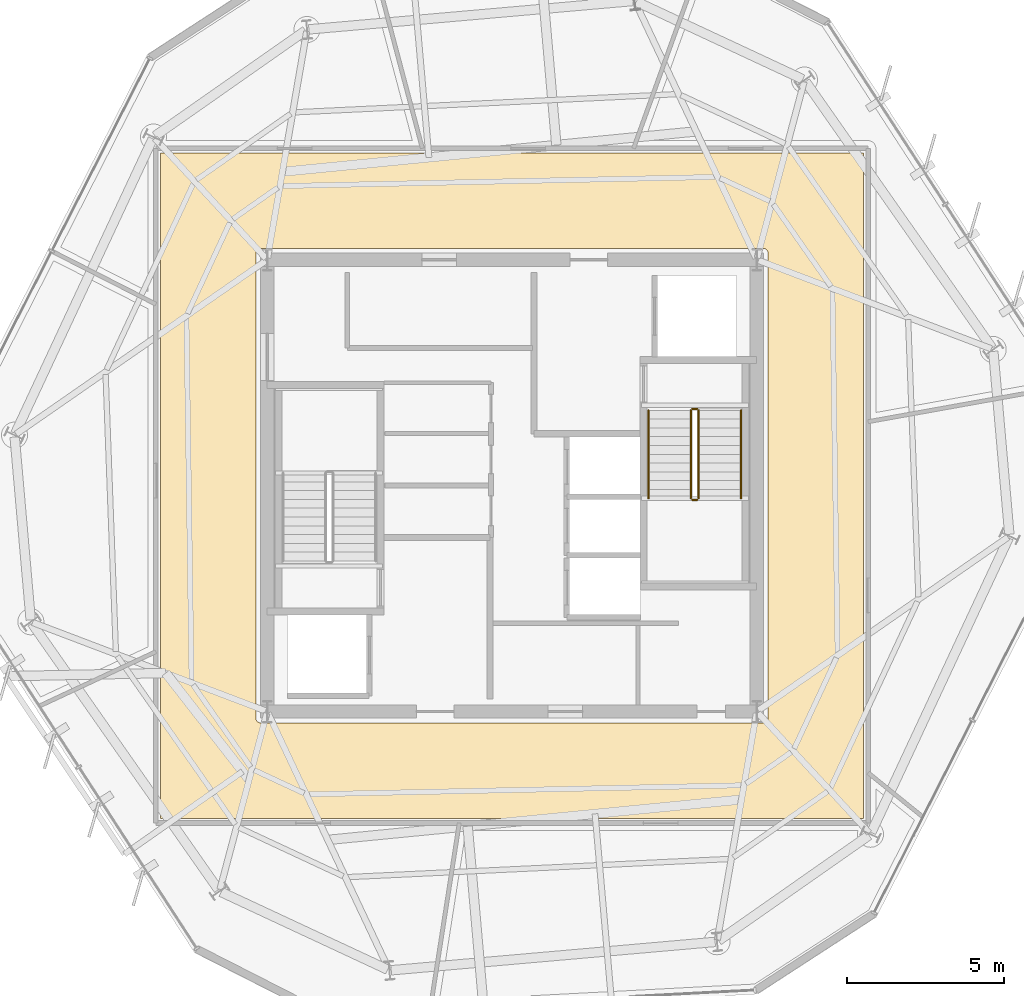
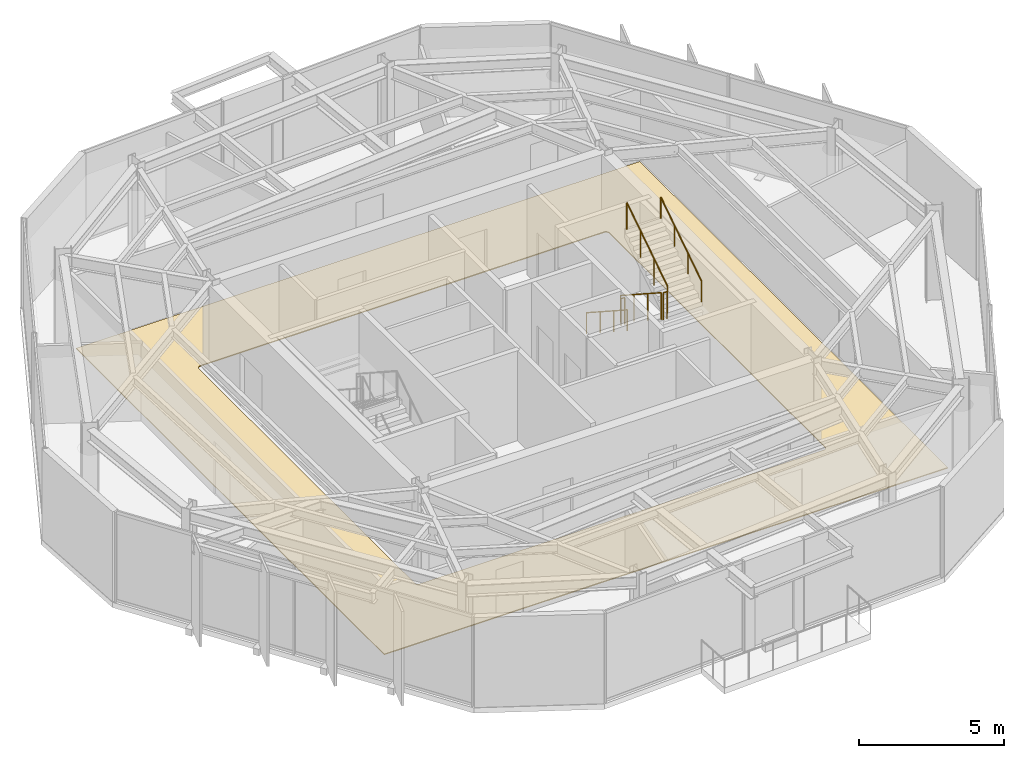
# One storey, part 10 of 11: 6 railings, 1 covering.
"""IFC4 building model written with IfcOpenShell, lengths in metres."""

from ifc_helpers import new_model, si_unit, direction, frame, origin, origin_2d, place, context, subcontext, project, spatial, polyline, circle, outline, extrude, material, layer, layer_set, type_object, element, save


model = new_model("IFC4")

# Units and contexts
model_context = context("Model", 3, precision=1e-05, world=origin(), true_north=direction((0.0, 1.0)))
body_context = subcontext(model_context, "Body", "Model", "MODEL_VIEW")
ifc_project = project(units=[si_unit("LENGTHUNIT", "METRE"), si_unit("AREAUNIT", "SQUARE_METRE"), si_unit("VOLUMEUNIT", "CUBIC_METRE"), si_unit("PLANEANGLEUNIT", "RADIAN"), si_unit("MASSUNIT", "GRAM", prefix="KILO")], contexts=[model_context])

# Site, building, storey
site_placement = place(None, origin())
site = spatial("IfcSite", under=ifc_project, at=site_placement, CompositionType="ELEMENT")
building_placement = place(site_placement, origin())
building = spatial("IfcBuilding", under=site, at=building_placement, Name="Kranzbogen Civic Tower", CompositionType="ELEMENT")
storey_placement = place(building_placement, frame((0.0, 0.0, 278.199951171875)))
storey = spatial("IfcBuildingStorey", under=building, at=storey_placement, Name="L67", CompositionType="ELEMENT", Elevation=278.199951171875)

# Covering
ifc_material_1 = material(Name="Honed Natural Stone Flooring", Category="masonry")
ifc_layer = layer(ifc_material_1, 0.0400390625, Name="Honed Natural Stone Flooring")
ifc_layer_set = layer_set([ifc_layer], Name="Honed Natural Stone Flooring")
covering_type = type_object("IfcCoveringType", Name="Honed Limestone Lobby Flooring 40 mm", PredefinedType="FLOORING", material=ifc_layer_set)
covering_placement = place(storey_placement, origin())
element("IfcCovering", 1, at=covering_placement, inside=storey, type_object=covering_type, Name="L67 concourse stone flooring 1", PredefinedType="FLOORING", context=body_context, shape_type="SweptSolid", body=[
    extrude(outline(polyline([(13.800048828125, 35.60009765625), (36.199951171875, 35.60009765625), (36.199951171875, 14.39990234375), (13.800048828125, 14.39990234375), (13.800048828125, 35.60009765625)]), holes=[polyline([(33.010009765625, 32.56005859375), (33.02490234375, 32.55908203125), (33.0390625, 32.556884765625), (33.053955078125, 32.553955078125), (33.06689453125, 32.549072265625), (33.0810546875, 32.5419921875), (33.093017578125, 32.534912109375), (33.10498046875, 32.52587890625), (33.115966796875, 32.51611328125), (33.1259765625, 32.5048828125), (33.135009765625, 32.492919921875), (33.14208984375, 32.48095703125), (33.14892578125, 32.467041015625), (33.154052734375, 32.4541015625), (33.156982421875, 32.43896484375), (33.158935546875, 32.425048828125), (33.159912109375, 32.409912109375), (33.159912109375, 17.590087890625), (33.158935546875, 17.574951171875), (33.156982421875, 17.56103515625), (33.154052734375, 17.5458984375), (33.14892578125, 17.532958984375), (33.14208984375, 17.51904296875), (33.135009765625, 17.507080078125), (33.1259765625, 17.4951171875), (33.115966796875, 17.48388671875), (33.10498046875, 17.47412109375), (33.093017578125, 17.465087890625), (33.0810546875, 17.4580078125), (33.06689453125, 17.450927734375), (33.053955078125, 17.446044921875), (33.0390625, 17.443115234375), (33.02490234375, 17.44091796875), (33.010009765625, 17.43994140625), (16.989990234375, 17.43994140625), (16.97509765625, 17.44091796875), (16.9609375, 17.443115234375), (16.946044921875, 17.446044921875), (16.93310546875, 17.450927734375), (16.9189453125, 17.4580078125), (16.906982421875, 17.465087890625), (16.89501953125, 17.47412109375), (16.884033203125, 17.48388671875), (16.8740234375, 17.4951171875), (16.864990234375, 17.507080078125), (16.85791015625, 17.51904296875), (16.85107421875, 17.532958984375), (16.845947265625, 17.5458984375), (16.843017578125, 17.56103515625), (16.841064453125, 17.574951171875), (16.840087890625, 17.590087890625), (16.840087890625, 32.409912109375), (16.841064453125, 32.425048828125), (16.843017578125, 32.43896484375), (16.845947265625, 32.4541015625), (16.85107421875, 32.467041015625), (16.85791015625, 32.48095703125), (16.864990234375, 32.492919921875), (16.8740234375, 32.5048828125), (16.884033203125, 32.51611328125), (16.89501953125, 32.52587890625), (16.906982421875, 32.534912109375), (16.9189453125, 32.5419921875), (16.93310546875, 32.549072265625), (16.946044921875, 32.553955078125), (16.9609375, 32.556884765625), (16.97509765625, 32.55908203125), (16.989990234375, 32.56005859375), (33.010009765625, 32.56005859375)])]), origin(), (0.0, 0.0, 1.0), 0.0400390625),
])

# Railings
ifc_material_2 = material(Name="Steel S355", Category="steel")
railing_type_1 = type_object("IfcRailingType", Name="Internal Stair and Void Steel Guardrail 1150", PredefinedType="GUARDRAIL", material=ifc_material_2)
railing_1_placement = place(storey_placement, frame((30.699951171875, 27.39990234375, 0.181884765625)))
element("IfcRailing", 2, at=railing_1_placement, inside=storey, type_object=railing_type_1, Name="L67 ST-T2 stair guard 1", PredefinedType="GUARDRAIL", context=body_context, shape_type="SweptSolid", body=[
    extrude(circle(Radius=0.02392578125, at=origin_2d()), frame((0.0, 0.0, 1.1259765625), z_axis=(0.0, -0.83868413941, 0.544618136222), x_axis=(1.0, 0.0, 0.0)), (0.0, 0.0, 1.0), 3.33837890625),
    extrude(circle(Radius=0.02099609375, at=origin_2d()), origin(), (0.0, 0.0, 1.0), 1.101806640625),
    extrude(circle(Radius=0.02099609375, at=origin_2d()), frame((0.0, -0.933349609375, 0.60595703125)), (0.0, 0.0, 1.0), 1.101806640625),
    extrude(circle(Radius=0.02099609375, at=origin_2d()), frame((0.0, -1.866455078125, 1.212158203125)), (0.0, 0.0, 1.0), 1.101806640625),
    extrude(circle(Radius=0.02099609375, at=origin_2d()), frame((0.0, -2.7998046875, 1.818115234375)), (0.0, 0.0, 1.0), 1.101806640625),
])
railing_2_placement = place(storey_placement, frame((30.75, 24.550048828125, 2.0)))
element("IfcRailing", 3, at=railing_2_placement, inside=storey, type_object=railing_type_1, Name="L67 ST-T2 stair guard 2", PredefinedType="GUARDRAIL", context=body_context, shape_type="SweptSolid", body=[
    extrude(circle(Radius=0.02392578125, at=origin_2d()), frame((0.0, 0.0, 1.1259765625), z_axis=(1.0, 0.0, 0.0), x_axis=(0.0, 1.0, 0.0)), (0.0, 0.0, 1.0), 0.14990234375),
    extrude(circle(Radius=0.02099609375, at=origin_2d()), origin(), (0.0, 0.0, 1.0), 1.101806640625),
    extrude(circle(Radius=0.02099609375, at=origin_2d()), frame((0.14990234375, 0.0, 0.0)), (0.0, 0.0, 1.0), 1.101806640625),
])
railing_3_placement = place(storey_placement, frame((30.949951171875, 24.60009765625, 2.181884765625)))
element("IfcRailing", 4, at=railing_3_placement, inside=storey, type_object=railing_type_1, Name="L67 ST-T2 stair guard 3", PredefinedType="GUARDRAIL", context=body_context, shape_type="SweptSolid", body=[
    extrude(circle(Radius=0.02392578125, at=origin_2d()), frame((0.0, 0.0, 1.1259765625), z_axis=(0.0, 0.83868413941, 0.544618136222), x_axis=(-1.0, 0.0, 0.0)), (0.0, 0.0, 1.0), 3.33837890625),
    extrude(circle(Radius=0.02099609375, at=origin_2d()), origin(), (0.0, 0.0, 1.0), 1.101806640625),
    extrude(circle(Radius=0.02099609375, at=origin_2d()), frame((0.0, 0.933349609375, 0.60595703125)), (0.0, 0.0, 1.0), 1.101806640625),
    extrude(circle(Radius=0.02099609375, at=origin_2d()), frame((0.0, 1.866455078125, 1.212158203125)), (0.0, 0.0, 1.0), 1.101806640625),
    extrude(circle(Radius=0.02099609375, at=origin_2d()), frame((0.0, 2.7998046875, 1.818115234375)), (0.0, 0.0, 1.0), 1.101806640625),
])
railing_4_placement = place(storey_placement, frame((30.75, 27.449951171875, 0.0)))
element("IfcRailing", 5, at=railing_4_placement, inside=storey, type_object=railing_type_1, Name="L67 ST-T2 stair guard 4", PredefinedType="GUARDRAIL", context=body_context, shape_type="SweptSolid", body=[
    extrude(circle(Radius=0.02392578125, at=origin_2d()), frame((0.0, 0.0, 1.1259765625), z_axis=(1.0, 0.0, 0.0), x_axis=(0.0, 1.0, 0.0)), (0.0, 0.0, 1.0), 0.14990234375),
    extrude(circle(Radius=0.02099609375, at=origin_2d()), origin(), (0.0, 0.0, 1.0), 1.101806640625),
    extrude(circle(Radius=0.02099609375, at=origin_2d()), frame((0.14990234375, 0.0, 0.0)), (0.0, 0.0, 1.0), 1.101806640625),
])
ifc_material_3 = material(Name="Pale Anodised Aluminium", Category="aluminium")
railing_type_2 = type_object("IfcRailingType", Name="Tubular Stainless Stair Wall Handrail 900", PredefinedType="HANDRAIL", material=ifc_material_3)
railing_5_placement = place(storey_placement, frame((29.35009765625, 27.39990234375, 0.181884765625)))
element("IfcRailing", 6, at=railing_5_placement, inside=storey, type_object=railing_type_2, Name="L67 ST-T2 stair handrail 1", PredefinedType="HANDRAIL", context=body_context, shape_type="SweptSolid", body=[
    extrude(circle(Radius=0.02392578125, at=origin_2d()), frame((0.0, 0.0, 0.8759765625), z_axis=(0.0, -0.83868413941, 0.544618136222), x_axis=(1.0, 0.0, 0.0)), (0.0, 0.0, 1.0), 3.33837890625),
    extrude(circle(Radius=0.02099609375, at=origin_2d()), origin(), (0.0, 0.0, 1.0), 0.851806640625),
    extrude(circle(Radius=0.02099609375, at=origin_2d()), frame((0.0, -0.933349609375, 0.60595703125)), (0.0, 0.0, 1.0), 0.851806640625),
    extrude(circle(Radius=0.02099609375, at=origin_2d()), frame((0.0, -1.866455078125, 1.212158203125)), (0.0, 0.0, 1.0), 0.851806640625),
    extrude(circle(Radius=0.02099609375, at=origin_2d()), frame((0.0, -2.7998046875, 1.818115234375)), (0.0, 0.0, 1.0), 0.851806640625),
])
railing_6_placement = place(storey_placement, frame((32.300048828125, 24.60009765625, 2.181884765625)))
element("IfcRailing", 7, at=railing_6_placement, inside=storey, type_object=railing_type_2, Name="L67 ST-T2 stair handrail 2", PredefinedType="HANDRAIL", context=body_context, shape_type="SweptSolid", body=[
    extrude(circle(Radius=0.02392578125, at=origin_2d()), frame((0.0, 0.0, 0.8759765625), z_axis=(0.0, 0.83868413941, 0.544618136222), x_axis=(-1.0, 0.0, 0.0)), (0.0, 0.0, 1.0), 3.33837890625),
    extrude(circle(Radius=0.02099609375, at=origin_2d()), origin(), (0.0, 0.0, 1.0), 0.851806640625),
    extrude(circle(Radius=0.02099609375, at=origin_2d()), frame((0.0, 0.933349609375, 0.60595703125)), (0.0, 0.0, 1.0), 0.851806640625),
    extrude(circle(Radius=0.02099609375, at=origin_2d()), frame((0.0, 1.866455078125, 1.212158203125)), (0.0, 0.0, 1.0), 0.851806640625),
    extrude(circle(Radius=0.02099609375, at=origin_2d()), frame((0.0, 2.7998046875, 1.818115234375)), (0.0, 0.0, 1.0), 0.851806640625),
])

save(model, "model.ifc")
